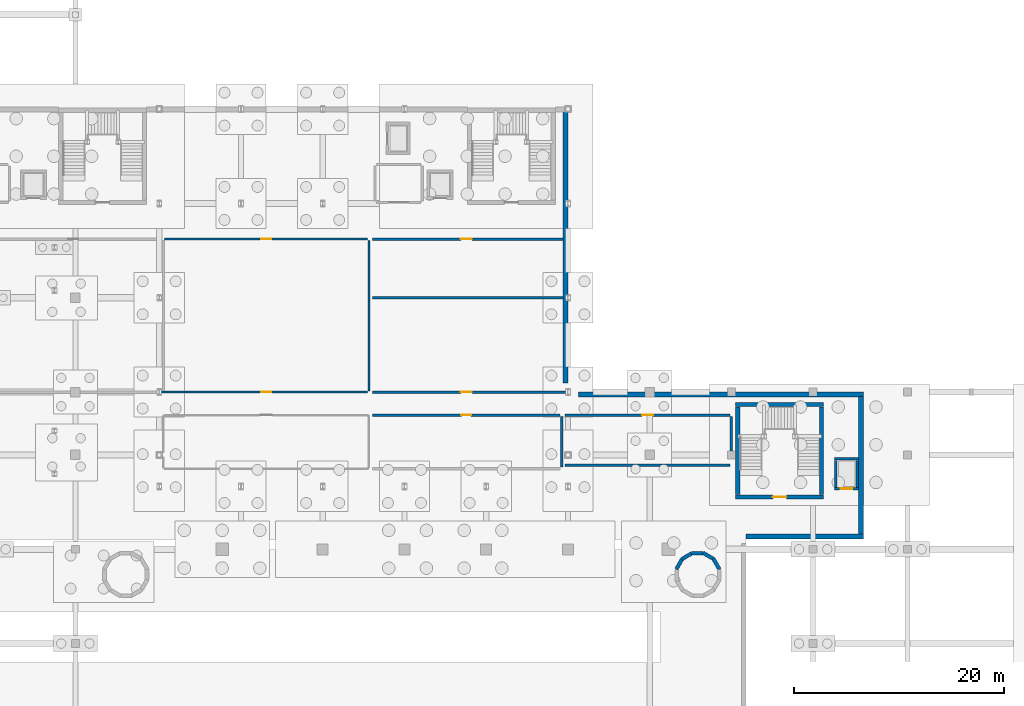
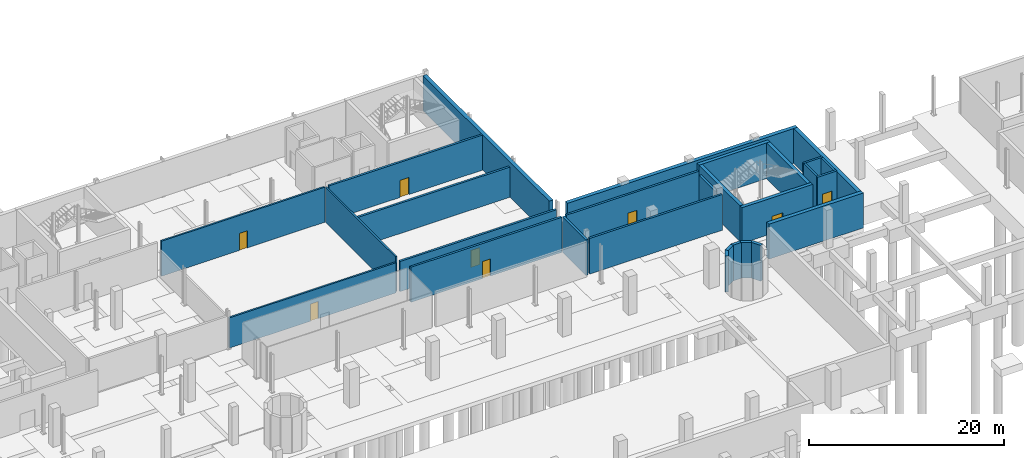
# One storey, part 28 of 32: 28 walls, 8 doors, 8 openings.
"""IFC4 building model written with IfcOpenShell, lengths in metres."""

from ifc_helpers import new_model, si_unit, derived_unit, direction, frame, frame_2d, origin, place, context, subcontext, project, spatial, rectangle, extrude, material, layer, layer_set, type_object, element, fill, save


model = new_model("IFC4")

# Units and contexts
model_context = context("Model", 3, precision=1e-05, world=origin(), true_north=direction((0.0, 1.0)))
body_context = subcontext(model_context, "Body", "Model", "MODEL_VIEW")
ifc_project = project(units=[si_unit("LENGTHUNIT", "METRE"), si_unit("AREAUNIT", "SQUARE_METRE"), si_unit("VOLUMEUNIT", "CUBIC_METRE"), si_unit("PLANEANGLEUNIT", "RADIAN"), si_unit("MASSUNIT", "GRAM", prefix="KILO"), derived_unit("THERMALTRANSMITTANCEUNIT", [(si_unit("POWERUNIT", "WATT"), 1), (si_unit("LENGTHUNIT", "METRE"), -2), (si_unit("THERMODYNAMICTEMPERATUREUNIT", "KELVIN"), -1)])], contexts=[model_context])

# Site, building, storey
site_placement = place(None, origin())
site = spatial("IfcSite", under=ifc_project, at=site_placement, CompositionType="ELEMENT")
building_placement = place(site_placement, origin())
building = spatial("IfcBuilding", under=site, at=building_placement, Name="Nallur Shell Playhouse", CompositionType="ELEMENT")
storey_placement = place(building_placement, frame((0.0, 0.0, -4.800048828125)))
storey = spatial("IfcBuildingStorey", under=building, at=storey_placement, Name="B1", CompositionType="ELEMENT", Elevation=-4.800048828125)

# Wall, opening, door
ifc_material_1 = material(Name="Concrete M45", Category="concrete")
ifc_layer_1 = layer(ifc_material_1, 0.39990234375)
ifc_layer_set_1 = layer_set([ifc_layer_1], Name="Concrete M45")
wall_type_1 = type_object("IfcWallType", Name="WL-CORE-400", PredefinedType="SHEAR", material=ifc_layer_set_1)
wall_1_placement = place(storey_placement, frame((119.0, 46.0, 0.0), z_axis=(0.0, 0.0, 1.0), x_axis=(1.0, 0.0, 0.0)))
wall_1 = element("IfcWall", 1, at=wall_1_placement, inside=storey, type_object=wall_type_1, Name="Joint Core JC-2 shear wall S (B1)", PredefinedType="SHEAR", context=body_context, shape_type="SweptSolid", body=[
    extrude(rectangle(XDim=8.39990234375, YDim=0.39990234375, at=frame_2d((4.199951171875, 0.0))), origin(), (0.0, 0.0, 1.0), 4.47998046875),
])
opening_1_placement = place(wall_1_placement, frame((3.550048828125, 0.0, 0.0)))
opening_1 = element("IfcOpeningElement", 2, at=opening_1_placement, cuts=wall_1, Name="Opening FD-ST1", PredefinedType="OPENING", context=body_context, shape_type="SweptSolid", body=[
    extrude(rectangle(XDim=1.300048828125, YDim=2.14990234375, at=frame_2d((0.64990234375, 1.074951171875))), frame((0.0, 0.2099609375, 0.0), z_axis=(0.0, -1.0, 0.0), x_axis=(1.0, 0.0, 0.0)), (0.0, 0.0, 1.0), 0.419921875),
])
ifc_material_2 = material(Name="Galvanised Steel Fire-Rated Stair Door", Category="steel")
door_type_1 = type_object("IfcDoorType", Name="DR-INT-STAIR-L", OperationType="SINGLE_SWING_LEFT", PredefinedType="DOOR", material=ifc_material_2)
door_1_placement = place(opening_1_placement, origin())
door_1 = element("IfcDoor", 3, at=door_1_placement, inside=storey, type_object=door_type_1, Name="Exit stair ST-02 fire door (B1)", OperationType="SINGLE_SWING_LEFT", OverallHeight=2.14990234375, OverallWidth=1.300048828125, PredefinedType="DOOR", context=body_context, shape_type="SweptSolid", body=[
    extrude(rectangle(XDim=1.300048828125, YDim=2.14990234375, at=frame_2d((0.64990234375, 1.074951171875))), frame((0.0, 0.02490234375, 0.0), z_axis=(0.0, -1.0, 0.0), x_axis=(1.0, 0.0, 0.0)), (0.0, 0.0, 1.0), 0.050048828125),
])
fill(opening_1, door_1)

# Walls
wall_2_placement = place(storey_placement, frame((127.39990234375, 54.800048828125, 0.0), z_axis=(0.0, 0.0, 1.0), x_axis=(-1.0, 0.0, 0.0)))
element("IfcWall", 4, at=wall_2_placement, inside=storey, type_object=wall_type_1, Name="Joint Core JC-2 shear wall N (B1)", PredefinedType="SHEAR", context=body_context, shape_type="SweptSolid", body=[
    extrude(rectangle(XDim=8.39990234375, YDim=0.39990234375, at=frame_2d((4.199951171875, 0.0))), origin(), (0.0, 0.0, 1.0), 4.47998046875),
])
for number, where, z_axis, x_axis, name in (
    (5, (127.199951171875, 46.2099609375, 0.0), (0.0, 0.0, 1.0), (0.0, 1.0, 0.0), "Joint Core JC-2 shear wall E (B1)"),
    (6, (119.199951171875, 54.590087890625, 0.0), (0.0, 0.0, 1.0), (0.0, -1.0, 0.0), "Joint Core JC-2 shear wall W (B1)"),
):
    element("IfcWall", number, at=place(storey_placement, frame(where, z_axis=z_axis, x_axis=x_axis)), inside=storey, type_object=wall_type_1, Name=name, PredefinedType="SHEAR", context=body_context, shape_type="SweptSolid", body=[
        extrude(rectangle(XDim=8.380126953125, YDim=0.39990234375, at=frame_2d((4.18994140625, 0.0))), origin(), (0.0, 0.0, 1.0), 4.47998046875),
    ])
wall_3_placement = place(storey_placement, frame((117.46142578125, 39.08642578125, 0.0), z_axis=(0.0, 0.0, 1.0), x_axis=(-0.500080723117, 0.865978793255, 0.0)))
element("IfcWall", 7, at=wall_3_placement, inside=storey, type_object=wall_type_1, Name="Metabolist service drum DR-2 facet 1 (B1)", PredefinedType="SHEAR", context=body_context, shape_type="SweptSolid", body=[
    extrude(rectangle(XDim=1.218994140625, YDim=0.35009765625, at=frame_2d((0.609375, 0.0))), origin(), (0.0, 0.0, 1.0), 4.47998046875),
])
for number, where, z_axis, x_axis, name in (
    (8, (116.8330078125, 40.114990234375, 0.0), (0.0, 0.0, 1.0), (-0.866062834654, 0.499935162227, 0.0), "Metabolist service drum DR-2 facet 2 (B1)"),
    (9, (115.883544921875, 40.62841796875, 0.0), (0.0, 0.0, 1.0), (-1.0, 0.0, 0.0), "Metabolist service drum DR-2 facet 3 (B1)"),
    (10, (114.804443359375, 40.598388671875, 0.0), (0.0, 0.0, 1.0), (-0.866062834654, -0.499935162227, 0.0), "Metabolist service drum DR-2 facet 4 (B1)"),
    (11, (113.885009765625, 40.032958984375, 0.0), (0.0, 0.0, 1.0), (-0.499935162227, -0.866062834654, 0.0), "Metabolist service drum DR-2 facet 5 (B1)"),
):
    element("IfcWall", number, at=place(storey_placement, frame(where, z_axis=z_axis, x_axis=x_axis)), inside=storey, type_object=wall_type_1, Name=name, PredefinedType="SHEAR", context=body_context, shape_type="SweptSolid", body=[
        extrude(rectangle(XDim=1.093017578125, YDim=0.35009765625, at=frame_2d((0.54638671875, 0.0))), origin(), (0.0, 0.0, 1.0), 4.47998046875),
    ])

# Wall, opening, door
ifc_material_3 = material(Name="Concrete M30", Category="concrete")
ifc_layer_2 = layer(ifc_material_3, 0.199951171875)
ifc_layer_set_2 = layer_set([ifc_layer_2], Name="Concrete M30")
wall_type_2 = type_object("IfcWallType", Name="WL-PART-AC200", PredefinedType="PARTITIONING", material=ifc_layer_set_2)
wall_4_placement = place(storey_placement, frame((64.52001953125, 70.60009765625, 0.0), z_axis=(0.0, 0.0, 1.0), x_axis=(1.0, 0.0, 0.0)))
wall_4 = element("IfcWall", 12, at=wall_4_placement, inside=storey, type_object=wall_type_2, Name="Stage Trap & Revolving Lift Chamber partition IW-B1-0014", PredefinedType="PARTITIONING", context=body_context, shape_type="SweptSolid", body=[
    extrude(rectangle(XDim=19.35986328125, YDim=0.199951171875, at=frame_2d((9.679931640625, 0.0))), origin(), (0.0, 0.0, 1.0), 4.39013671875),
])
opening_2_placement = place(wall_4_placement, frame((9.205078125, 0.0, 0.0)))
opening_2 = element("IfcOpeningElement", 13, at=opening_2_placement, cuts=wall_4, Name="Opening ID-03", PredefinedType="OPENING", context=body_context, shape_type="SweptSolid", body=[
    extrude(rectangle(XDim=0.949951171875, YDim=2.14990234375, at=frame_2d((0.47509765625, 1.074951171875))), frame((0.0, 0.10986328125, 0.0), z_axis=(0.0, -1.0, 0.0), x_axis=(1.0, 0.0, 0.0)), (0.0, 0.0, 1.0), 0.219970703125),
])
ifc_material_4 = material(Name="Solid-Core Engineered Timber Door", Category="wood")
door_type_2 = type_object("IfcDoorType", Name="DR-INT-SGL950L", OperationType="SINGLE_SWING_LEFT", PredefinedType="DOOR", material=ifc_material_4)
door_2_placement = place(opening_2_placement, origin())
door_2 = element("IfcDoor", 14, at=door_2_placement, inside=storey, type_object=door_type_2, Name="Stage Trap & Revolving Lift Chamber door 1", OperationType="SINGLE_SWING_LEFT", OverallHeight=2.14990234375, OverallWidth=0.949951171875, PredefinedType="DOOR", context=body_context, shape_type="SweptSolid", body=[
    extrude(rectangle(XDim=0.949951171875, YDim=2.14990234375, at=frame_2d((0.47509765625, 1.074951171875))), frame((0.0, 0.02490234375, 0.0), z_axis=(0.0, -1.0, 0.0), x_axis=(1.0, 0.0, 0.0)), (0.0, 0.0, 1.0), 0.050048828125),
])
fill(opening_2, door_2)

# Wall
wall_5_placement = place(storey_placement, frame((84.0, 70.47998046875, 0.0), z_axis=(0.0, 0.0, 1.0), x_axis=(0.0, -1.0, 0.0)))
element("IfcWall", 15, at=wall_5_placement, inside=storey, type_object=wall_type_2, Name="Stage Trap & Revolving Lift Chamber partition IW-B1-0015", PredefinedType="PARTITIONING", context=body_context, shape_type="SweptSolid", body=[
    extrude(rectangle(XDim=14.35986328125, YDim=0.199951171875, at=frame_2d((7.179931640625, 0.0))), origin(), (0.0, 0.0, 1.0), 4.39013671875),
])

# Wall, opening, door
wall_6_placement = place(storey_placement, frame((83.8798828125, 56.0, 0.0), z_axis=(0.0, 0.0, 1.0), x_axis=(-1.0, 0.0, 0.0)))
wall_6 = element("IfcWall", 16, at=wall_6_placement, inside=storey, type_object=wall_type_2, Name="Stage Trap & Revolving Lift Chamber partition IW-B1-0016", PredefinedType="PARTITIONING", context=body_context, shape_type="SweptSolid", body=[
    extrude(rectangle(XDim=19.7509765625, YDim=0.199951171875, at=frame_2d((9.87548828125, 0.0))), origin(), (0.0, 0.0, 1.0), 3.780029296875),
])
opening_3_placement = place(wall_6_placement, frame((9.205078125, 0.0, 0.0)))
opening_3 = element("IfcOpeningElement", 17, at=opening_3_placement, cuts=wall_6, Name="Opening ID-04", PredefinedType="OPENING", context=body_context, shape_type="SweptSolid", body=[
    extrude(rectangle(XDim=0.949951171875, YDim=2.14990234375, at=frame_2d((0.47509765625, 1.074951171875))), frame((0.0, 0.10986328125, 0.0), z_axis=(0.0, -1.0, 0.0), x_axis=(1.0, 0.0, 0.0)), (0.0, 0.0, 1.0), 0.219970703125),
])
door_type_3 = type_object("IfcDoorType", Name="DR-INT-SGL950R", OperationType="SINGLE_SWING_RIGHT", PredefinedType="DOOR", material=ifc_material_4)
door_3_placement = place(opening_3_placement, origin())
door_3 = element("IfcDoor", 18, at=door_3_placement, inside=storey, type_object=door_type_3, Name="Stage Trap & Revolving Lift Chamber door 2", OperationType="SINGLE_SWING_RIGHT", OverallHeight=2.14990234375, OverallWidth=0.949951171875, PredefinedType="DOOR", context=body_context, shape_type="SweptSolid", body=[
    extrude(rectangle(XDim=0.949951171875, YDim=2.14990234375, at=frame_2d((0.47509765625, 1.074951171875))), frame((0.0, 0.02490234375, 0.0), z_axis=(0.0, -1.0, 0.0), x_axis=(1.0, 0.0, 0.0)), (0.0, 0.0, 1.0), 0.050048828125),
])
fill(opening_3, door_3)

# Wall
ifc_layer_3 = layer(ifc_material_3, 0.25)
ifc_layer_set_3 = layer_set([ifc_layer_3], Name="Concrete M30")
wall_type_3 = type_object("IfcWallType", Name="WL-PART-AC250", PredefinedType="PARTITIONING", material=ifc_layer_set_3)
wall_7_placement = place(storey_placement, frame((84.344970703125, 65.0, 0.0), z_axis=(0.0, 0.0, 1.0), x_axis=(1.0, 0.0, 0.0)))
element("IfcWall", 19, at=wall_7_placement, inside=storey, type_object=wall_type_3, Name="Central Water-Cooled Chiller Plant partition IW-B1-0018", PredefinedType="PARTITIONING", context=body_context, shape_type="SweptSolid", body=[
    extrude(rectangle(XDim=18.200927734375, YDim=0.25, at=frame_2d((9.1005859375, 0.0))), origin(), (0.0, 0.0, 1.0), 3.780029296875),
])

# Wall, opening, door
wall_8_placement = place(storey_placement, frame((102.87109375, 56.0, 0.0), z_axis=(0.0, 0.0, 1.0), x_axis=(-1.0, 0.0, 0.0)))
wall_8 = element("IfcWall", 20, at=wall_8_placement, inside=storey, type_object=wall_type_3, Name="Central Water-Cooled Chiller Plant partition IW-B1-0019", PredefinedType="PARTITIONING", context=body_context, shape_type="SweptSolid", body=[
    extrude(rectangle(XDim=18.526123046875, YDim=0.25, at=frame_2d((9.26318359375, 0.0))), origin(), (0.0, 0.0, 1.0), 3.780029296875),
])
opening_4_placement = place(wall_8_placement, frame((9.0458984375, 0.0, 0.0)))
opening_4 = element("IfcOpeningElement", 21, at=opening_4_placement, cuts=wall_8, Name="Opening ID-01", PredefinedType="OPENING", context=body_context, shape_type="SweptSolid", body=[
    extrude(rectangle(XDim=1.050048828125, YDim=2.14990234375, at=frame_2d((0.52490234375, 1.074951171875))), frame((0.0, 0.135009765625, 0.0), z_axis=(0.0, -1.0, 0.0), x_axis=(1.0, 0.0, 0.0)), (0.0, 0.0, 1.0), 0.27001953125),
])
ifc_material_5 = material(Name="Solid-Core Engineered Timber Fire Door", Category="wood")
door_type_4 = type_object("IfcDoorType", Name="DR-INT-SGL1050L", OperationType="SINGLE_SWING_LEFT", PredefinedType="DOOR", material=ifc_material_5)
door_4_placement = place(opening_4_placement, origin())
door_4 = element("IfcDoor", 22, at=door_4_placement, inside=storey, type_object=door_type_4, Name="Central Water-Cooled Chiller Plant door 1", OperationType="SINGLE_SWING_LEFT", OverallHeight=2.14990234375, OverallWidth=1.050048828125, PredefinedType="DOOR", context=body_context, shape_type="SweptSolid", body=[
    extrude(rectangle(XDim=1.050048828125, YDim=2.14990234375, at=frame_2d((0.52490234375, 1.074951171875))), frame((0.0, 0.02490234375, 0.0), z_axis=(0.0, -1.0, 0.0), x_axis=(1.0, 0.0, 0.0)), (0.0, 0.0, 1.0), 0.050048828125),
])
fill(opening_4, door_4)

wall_9_placement = place(storey_placement, frame((84.344970703125, 70.60009765625, 0.0), z_axis=(0.0, 0.0, 1.0), x_axis=(1.0, 0.0, 0.0)))
wall_9 = element("IfcWall", 23, at=wall_9_placement, inside=storey, type_object=wall_type_3, Name="33kV/11kV Indoor Transformer Substation partition IW-B1-0020", PredefinedType="PARTITIONING", context=body_context, shape_type="SweptSolid", body=[
    extrude(rectangle(XDim=18.200927734375, YDim=0.25, at=frame_2d((9.1005859375, 0.0))), origin(), (0.0, 0.0, 1.0), 4.39013671875),
])
opening_5_placement = place(wall_9_placement, frame((8.429931640625, 0.0, 0.0)))
opening_5 = element("IfcOpeningElement", 24, at=opening_5_placement, cuts=wall_9, Name="Opening ID-02", PredefinedType="OPENING", context=body_context, shape_type="SweptSolid", body=[
    extrude(rectangle(XDim=1.050048828125, YDim=2.14990234375, at=frame_2d((0.52490234375, 1.074951171875))), frame((0.0, 0.135009765625, 0.0), z_axis=(0.0, -1.0, 0.0), x_axis=(1.0, 0.0, 0.0)), (0.0, 0.0, 1.0), 0.27001953125),
])
door_type_5 = type_object("IfcDoorType", Name="DR-INT-SGL1050R", OperationType="SINGLE_SWING_RIGHT", PredefinedType="DOOR", material=ifc_material_5)
door_5_placement = place(opening_5_placement, origin())
door_5 = element("IfcDoor", 25, at=door_5_placement, inside=storey, type_object=door_type_5, Name="33kV/11kV Indoor Transformer Substation door 1", OperationType="SINGLE_SWING_RIGHT", OverallHeight=2.14990234375, OverallWidth=1.050048828125, PredefinedType="DOOR", context=body_context, shape_type="SweptSolid", body=[
    extrude(rectangle(XDim=1.050048828125, YDim=2.14990234375, at=frame_2d((0.52490234375, 1.074951171875))), frame((0.0, 0.02490234375, 0.0), z_axis=(0.0, -1.0, 0.0), x_axis=(1.0, 0.0, 0.0)), (0.0, 0.0, 1.0), 0.050048828125),
])
fill(opening_5, door_5)

wall_10_placement = place(storey_placement, frame((84.344970703125, 53.800048828125, 0.0), z_axis=(0.0, 0.0, 1.0), x_axis=(1.0, 0.0, 0.0)))
wall_10 = element("IfcWall", 26, at=wall_10_placement, inside=storey, type_object=wall_type_3, Name="UPS Battery & Emergency Switchboard Room partition IW-B1-0025", PredefinedType="PARTITIONING", context=body_context, shape_type="SweptSolid", body=[
    extrude(rectangle(XDim=17.909912109375, YDim=0.25, at=frame_2d((8.955078125, 0.0))), origin(), (0.0, 0.0, 1.0), 4.39013671875),
])
opening_6_placement = place(wall_10_placement, frame((8.47998046875, 0.0, 0.0)))
opening_6 = element("IfcOpeningElement", 27, at=opening_6_placement, cuts=wall_10, Name="Opening ID-04", PredefinedType="OPENING", context=body_context, shape_type="SweptSolid", body=[
    extrude(rectangle(XDim=0.949951171875, YDim=2.14990234375, at=frame_2d((0.47509765625, 1.074951171875))), frame((0.0, 0.135009765625, 0.0), z_axis=(0.0, -1.0, 0.0), x_axis=(1.0, 0.0, 0.0)), (0.0, 0.0, 1.0), 0.27001953125),
])
door_6_placement = place(opening_6_placement, origin())
door_6 = element("IfcDoor", 28, at=door_6_placement, inside=storey, type_object=door_type_3, Name="UPS Battery & Emergency Switchboard Room door 1", OperationType="SINGLE_SWING_RIGHT", OverallHeight=2.14990234375, OverallWidth=0.949951171875, PredefinedType="DOOR", context=body_context, shape_type="SweptSolid", body=[
    extrude(rectangle(XDim=0.949951171875, YDim=2.14990234375, at=frame_2d((0.47509765625, 1.074951171875))), frame((0.0, 0.02490234375, 0.0), z_axis=(0.0, -1.0, 0.0), x_axis=(1.0, 0.0, 0.0)), (0.0, 0.0, 1.0), 0.050048828125),
])
fill(opening_6, door_6)

# Wall
wall_11_placement = place(storey_placement, frame((102.39990234375, 53.655029296875, 0.0), z_axis=(0.0, 0.0, 1.0), x_axis=(0.0, -1.0, 0.0)))
element("IfcWall", 29, at=wall_11_placement, inside=storey, type_object=wall_type_3, Name="UPS Battery & Emergency Switchboard Room partition IW-B1-0026", PredefinedType="PARTITIONING", context=body_context, shape_type="SweptSolid", body=[
    extrude(rectangle(XDim=4.81005859375, YDim=0.25, at=frame_2d((2.405029296875, 0.0))), origin(), (0.0, 0.0, 1.0), 4.469970703125),
])

# Wall, opening, door
wall_12_placement = place(storey_placement, frame((102.7451171875, 53.800048828125, 0.0), z_axis=(0.0, 0.0, 1.0), x_axis=(1.0, 0.0, 0.0)))
wall_12 = element("IfcWall", 30, at=wall_12_placement, inside=storey, type_object=wall_type_3, Name="Refuse Compactor & Recycling Store partition IW-B1-0028", PredefinedType="PARTITIONING", context=body_context, shape_type="SweptSolid", body=[
    extrude(rectangle(XDim=15.7099609375, YDim=0.25, at=frame_2d((7.85498046875, 0.0))), origin(), (0.0, 0.0, 1.0), 4.469970703125),
])
opening_7_placement = place(wall_12_placement, frame((7.330078125, 0.0, 0.0)))
opening_7 = element("IfcOpeningElement", 31, at=opening_7_placement, cuts=wall_12, Name="Opening ID-01", PredefinedType="OPENING", context=body_context, shape_type="SweptSolid", body=[
    extrude(rectangle(XDim=1.050048828125, YDim=2.14990234375, at=frame_2d((0.52490234375, 1.074951171875))), frame((0.0, 0.135009765625, 0.0), z_axis=(0.0, -1.0, 0.0), x_axis=(1.0, 0.0, 0.0)), (0.0, 0.0, 1.0), 0.27001953125),
])
door_7_placement = place(opening_7_placement, origin())
door_7 = element("IfcDoor", 32, at=door_7_placement, inside=storey, type_object=door_type_4, Name="Refuse Compactor & Recycling Store door 1", OperationType="SINGLE_SWING_LEFT", OverallHeight=2.14990234375, OverallWidth=1.050048828125, PredefinedType="DOOR", context=body_context, shape_type="SweptSolid", body=[
    extrude(rectangle(XDim=1.050048828125, YDim=2.14990234375, at=frame_2d((0.52490234375, 1.074951171875))), frame((0.0, 0.02490234375, 0.0), z_axis=(0.0, -1.0, 0.0), x_axis=(1.0, 0.0, 0.0)), (0.0, 0.0, 1.0), 0.050048828125),
])
fill(opening_7, door_7)

# Walls
wall_13_placement = place(storey_placement, frame((118.60009765625, 53.655029296875, 0.0), z_axis=(0.0, 0.0, 1.0), x_axis=(0.0, -1.0, 0.0)))
element("IfcWall", 33, at=wall_13_placement, inside=storey, type_object=wall_type_3, Name="Refuse Compactor & Recycling Store partition IW-B1-0029", PredefinedType="PARTITIONING", context=body_context, shape_type="SweptSolid", body=[
    extrude(rectangle(XDim=3.26513671875, YDim=0.25, at=frame_2d((1.632568359375, 0.0))), origin(), (0.0, 0.0, 1.0), 3.9599609375),
])
wall_14_placement = place(storey_placement, frame((118.455078125, 49.0, 0.0), z_axis=(0.0, 0.0, 1.0), x_axis=(-1.0, 0.0, 0.0)))
element("IfcWall", 34, at=wall_14_placement, inside=storey, type_object=wall_type_3, Name="Refuse Compactor & Recycling Store partition IW-B1-0030", PredefinedType="PARTITIONING", context=body_context, shape_type="SweptSolid", body=[
    extrude(rectangle(XDim=15.7099609375, YDim=0.25, at=frame_2d((7.85498046875, 0.0))), origin(), (0.0, 0.0, 1.0), 4.469970703125),
])
ifc_material_6 = material(Name="Concrete M40", Category="concrete")
ifc_layer_4 = layer(ifc_material_6, 0.449951171875)
ifc_layer_set_4 = layer_set([ifc_layer_4], Name="Concrete M40")
wall_type_4 = type_object("IfcWallType", Name="WL-RET-450", PredefinedType="USERDEFINED", material=ifc_layer_set_4)
wall_15_placement = place(storey_placement, frame((102.77490234375, 82.7548828125, 0.0), z_axis=(0.0, 0.0, 1.0), x_axis=(0.0, -1.0, 0.0)))
element("IfcWall", 35, at=wall_15_placement, inside=storey, type_object=wall_type_4, Name="Basement perimeter retaining wall RW-B1-1.09", ObjectType="RETAININGWALL", PredefinedType="USERDEFINED", context=body_context, shape_type="SweptSolid", body=[
    extrude(rectangle(XDim=25.909912109375, YDim=0.449951171875, at=frame_2d((12.955078125, 0.0))), origin(), (0.0, 0.0, 1.0), 4.380126953125),
])
wall_16_placement = place(storey_placement, frame((104.0, 55.77490234375, 0.0), z_axis=(0.0, 0.0, 1.0), x_axis=(1.0, 0.0, 0.0)))
element("IfcWall", 36, at=wall_16_placement, inside=storey, type_object=wall_type_4, Name="Basement perimeter retaining wall RW-B1-1.12", ObjectType="RETAININGWALL", PredefinedType="USERDEFINED", context=body_context, shape_type="SweptSolid", body=[
    extrude(rectangle(XDim=27.199951171875, YDim=0.449951171875, at=frame_2d((13.60009765625, 0.0))), origin(), (0.0, 0.0, 1.0), 4.380126953125),
])
wall_17_placement = place(storey_placement, frame((130.97509765625, 55.554931640625, 0.0), z_axis=(0.0, 0.0, 1.0), x_axis=(0.0, -1.0, 0.0)))
element("IfcWall", 37, at=wall_17_placement, inside=storey, type_object=wall_type_4, Name="Basement perimeter retaining wall RW-B1-1.13", ObjectType="RETAININGWALL", PredefinedType="USERDEFINED", context=body_context, shape_type="SweptSolid", body=[
    extrude(rectangle(XDim=13.10986328125, YDim=0.449951171875, at=frame_2d((6.554931640625, 0.0))), origin(), (0.0, 0.0, 1.0), 4.380126953125),
])
wall_18_placement = place(storey_placement, frame((131.199951171875, 42.22509765625, 0.0), z_axis=(0.0, 0.0, 1.0), x_axis=(-1.0, 0.0, 0.0)))
element("IfcWall", 38, at=wall_18_placement, inside=storey, type_object=wall_type_4, Name="Basement perimeter retaining wall RW-B1-1.14", ObjectType="RETAININGWALL", PredefinedType="USERDEFINED", context=body_context, shape_type="SweptSolid", body=[
    extrude(rectangle(XDim=11.199951171875, YDim=0.449951171875, at=frame_2d((5.60009765625, 0.0))), origin(), (0.0, 0.0, 1.0), 4.380126953125),
])

# Wall, opening, door
ifc_layer_5 = layer(ifc_material_1, 0.25)
ifc_layer_set_5 = layer_set([ifc_layer_5], Name="Concrete M45")
wall_type_5 = type_object("IfcWallType", Name="WL-SHAFT-250", PredefinedType="STANDARD", material=ifc_layer_set_5)
wall_19_placement = place(storey_placement, frame((128.449951171875, 46.77490234375, 0.0), z_axis=(0.0, 0.0, 1.0), x_axis=(1.0, 0.0, 0.0)))
wall_19 = element("IfcWall", 39, at=wall_19_placement, inside=storey, type_object=wall_type_5, Name="Passenger Lift PL-2 shaft wall south (B1)", PredefinedType="STANDARD", context=body_context, shape_type="SweptSolid", body=[
    extrude(rectangle(XDim=2.300048828125, YDim=0.25, at=frame_2d((1.14990234375, 0.0))), origin(), (0.0, 0.0, 1.0), 4.469970703125),
])
opening_8_placement = place(wall_19_placement, frame((0.60009765625, 0.0, 0.0)))
opening_8 = element("IfcOpeningElement", 40, at=opening_8_placement, cuts=wall_19, Name="Opening LD-P1", PredefinedType="OPENING", context=body_context, shape_type="SweptSolid", body=[
    extrude(rectangle(XDim=1.10009765625, YDim=2.14990234375, at=frame_2d((0.550048828125, 1.074951171875))), frame((0.0, 0.135009765625, 0.0), z_axis=(0.0, -1.0, 0.0), x_axis=(1.0, 0.0, 0.0)), (0.0, 0.0, 1.0), 0.27001953125),
])
ifc_material_7 = material(Name="Brushed Stainless Steel Lift Landing Door", Category="steel")
door_type_6 = type_object("IfcDoorType", Name="DR-LIFT-PASS", OperationType="DOUBLE_DOOR_SLIDING", PredefinedType="DOOR", material=ifc_material_7)
door_8_placement = place(opening_8_placement, origin())
door_8 = element("IfcDoor", 41, at=door_8_placement, inside=storey, type_object=door_type_6, Name="Passenger Lift PL-2 sliding landing door (B1)", OperationType="DOUBLE_DOOR_SLIDING", OverallHeight=2.14990234375, OverallWidth=1.10009765625, PredefinedType="DOOR", context=body_context, shape_type="SweptSolid", body=[
    extrude(rectangle(XDim=1.10009765625, YDim=2.14990234375, at=frame_2d((0.550048828125, 1.074951171875))), frame((0.0, 0.02490234375, 0.0), z_axis=(0.0, -1.0, 0.0), x_axis=(1.0, 0.0, 0.0)), (0.0, 0.0, 1.0), 0.050048828125),
])
fill(opening_8, door_8)

# Walls
wall_20_placement = place(storey_placement, frame((130.75, 49.625, 0.0), z_axis=(0.0, 0.0, 1.0), x_axis=(-1.0, 0.0, 0.0)))
element("IfcWall", 42, at=wall_20_placement, inside=storey, type_object=wall_type_5, Name="Passenger Lift PL-2 shaft wall north (B1)", PredefinedType="STANDARD", context=body_context, shape_type="SweptSolid", body=[
    extrude(rectangle(XDim=2.300048828125, YDim=0.25, at=frame_2d((1.14990234375, 0.0))), origin(), (0.0, 0.0, 1.0), 4.469970703125),
])
for number, where, z_axis, x_axis, name in (
    (43, (130.625, 46.909912109375, 0.0), (0.0, 0.0, 1.0), (0.0, 1.0, 0.0), "Passenger Lift PL-2 shaft wall east (B1)"),
    (44, (128.574951171875, 49.489990234375, 0.0), (0.0, 0.0, 1.0), (0.0, -1.0, 0.0), "Passenger Lift PL-2 shaft wall west (B1)"),
):
    element("IfcWall", number, at=place(storey_placement, frame(where, z_axis=z_axis, x_axis=x_axis)), inside=storey, type_object=wall_type_5, Name=name, PredefinedType="STANDARD", context=body_context, shape_type="SweptSolid", body=[
        extrude(rectangle(XDim=2.580078125, YDim=0.25, at=frame_2d((1.2900390625, 0.0))), origin(), (0.0, 0.0, 1.0), 4.469970703125),
    ])

save(model, "model.ifc")
